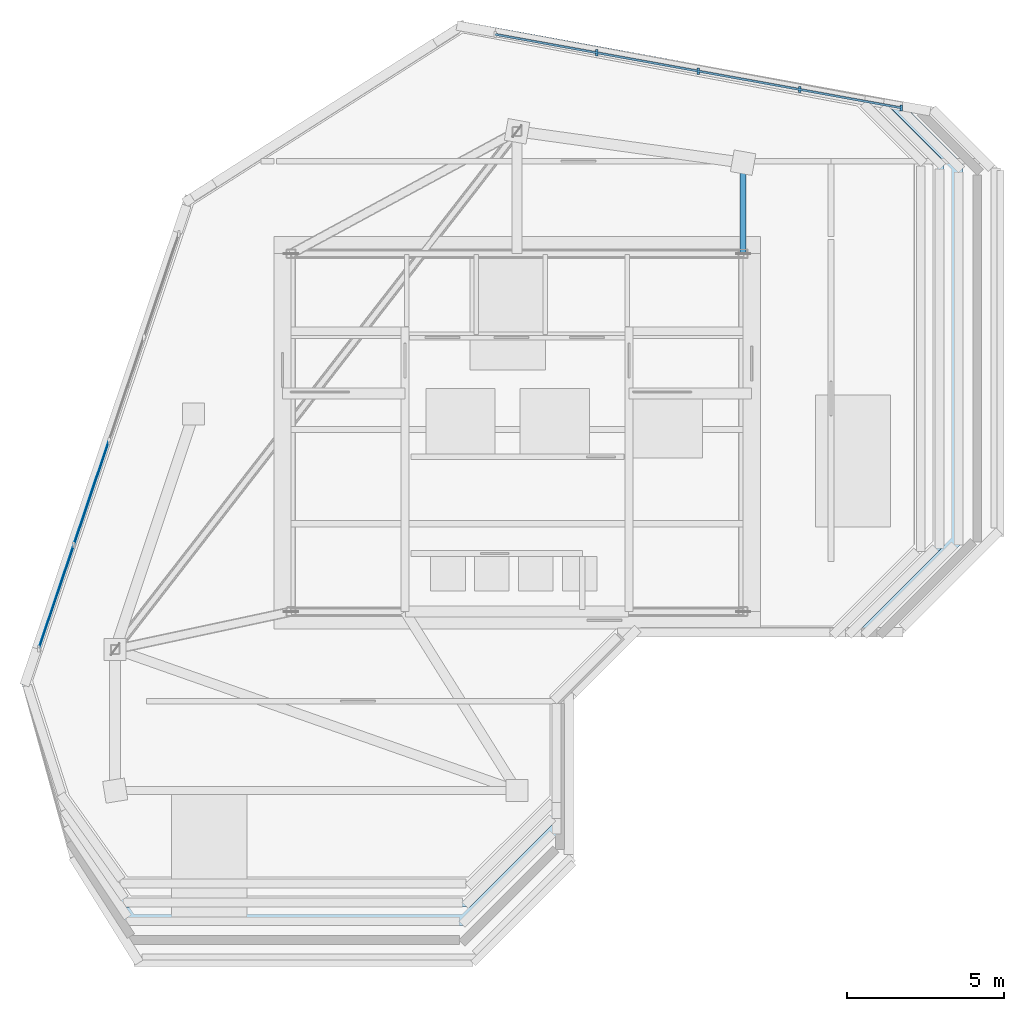
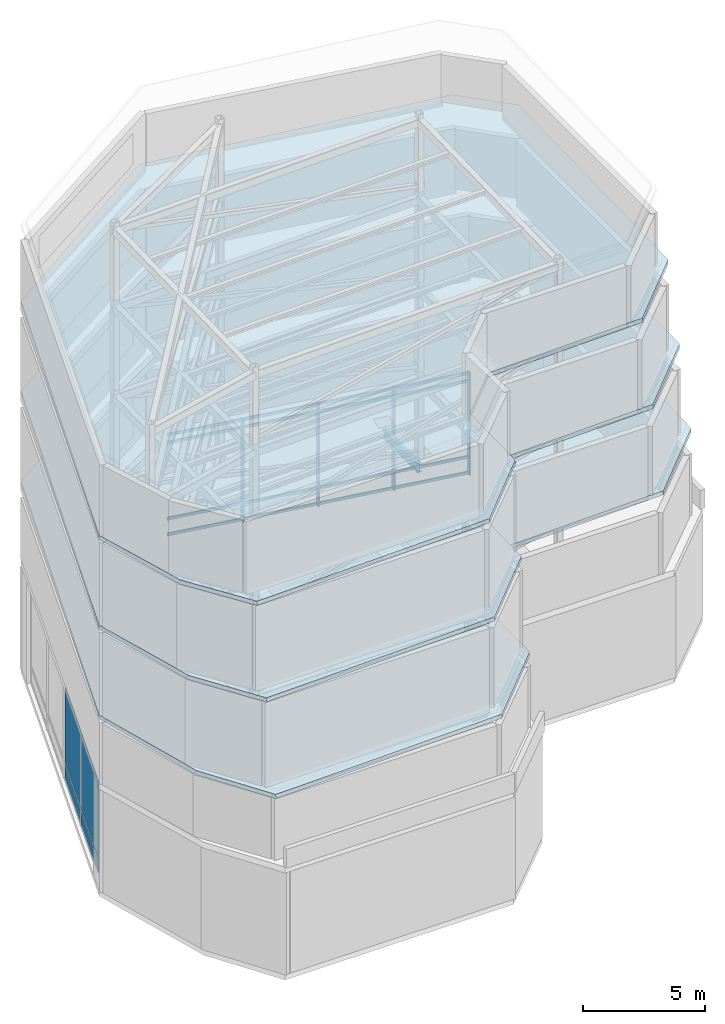
# One storey, part 3 of 9: 8 members, 4 plates, 3 slabs, 1 beam, 2 elements without a shape of their own.
"""IFC4 building model written with IfcOpenShell, lengths in metres."""

from ifc_helpers import new_model, si_unit, direction, frame, frame_2d, origin, origin_2d, place, context, subcontext, project, spatial, polyline, rectangle, i_section, outline, extrude, source, transform, mapped, material, layer, layer_set, material_profile, profile_set, type_object, element, aggregate, save


model = new_model("IFC4")

# Units and contexts
model_context = context("Model", 3, precision=1e-05, world=origin(), true_north=direction((0.0, 1.0)))
body_context = subcontext(model_context, "Body", "Model", "MODEL_VIEW")
ifc_project = project(units=[si_unit("LENGTHUNIT", "METRE"), si_unit("AREAUNIT", "SQUARE_METRE"), si_unit("VOLUMEUNIT", "CUBIC_METRE"), si_unit("PLANEANGLEUNIT", "RADIAN"), si_unit("MASSUNIT", "GRAM", prefix="KILO")], contexts=[model_context])

# Site, building, storey
site_placement = place(None, origin())
site = spatial("IfcSite", under=ifc_project, at=site_placement, CompositionType="ELEMENT")
building_placement = place(site_placement, origin())
building = spatial("IfcBuilding", under=site, at=building_placement, Name="Calvemar Wedge Station Tower", CompositionType="ELEMENT")
storey_placement = place(building_placement, frame((0.0, 0.0, 309.5)))
storey = spatial("IfcBuildingStorey", under=building, at=storey_placement, Name="L79", CompositionType="ELEMENT", Elevation=309.5)

# Beam
ifc_material_1 = material(Name="Structural steel ASTM A572 Grade 50", Category="steel")
ifc_material_profile_1 = material_profile(ifc_material_1, i_section(OverallWidth=0.19189453125, OverallDepth=0.462890625, WebThickness=0.010498046875, FlangeThickness=0.017578125, FilletRadius=0.012939453125, at=origin_2d()), Name="W460x89")
ifc_profile_set_1 = profile_set([ifc_material_profile_1], Name="Structural steel ASTM A572 Grade 50")
beam_type = type_object("IfcBeamType", Name="BM-J1-W460", PredefinedType="JOIST", material=ifc_profile_set_1)
shared_shape_1 = source(origin(), body_context, "Body", "SweptSolid", [
    extrude(i_section(OverallWidth=0.19189453125, OverallDepth=0.462890625, WebThickness=0.010498046875, FlangeThickness=0.017578125, FilletRadius=0.012939453125, at=origin_2d()), origin(), (0.0, 0.0, 1.0), 2.89990234375),
])
beam_placement = place(storey_placement, frame((31.0, 45.60009765625, 4.868408203125), z_axis=(0.0, 1.0, 0.0), x_axis=(-1.0, 0.0, 0.0)))
element("IfcBeam", 1, at=beam_placement, inside=storey, type_object=beam_type, Name="Storey L79 Core-to-Column Joist CJ-N2", PredefinedType="JOIST", context=body_context, shape_type="MappedRepresentation", body=[
    mapped(shared_shape_1, transform((0.0, 0.0, 0.0), scale=1.0)),
])

# Curtain wall, members
ifc_material_2 = material(Name="Anodised aluminium 6063-T6", Category="aluminium")
curtain_wall_type = type_object("IfcCurtainWallType", Name="CW4", PredefinedType="NOTDEFINED", material=ifc_material_2)
curtain_wall_1_placement = place(storey_placement, origin())
curtain_wall_1 = element("IfcCurtainWall", 2, at=curtain_wall_1_placement, inside=storey, type_object=curtain_wall_type, Name="Storey L79 CW4 Recessed Unitised Curtain Wall 10", PredefinedType="NOTDEFINED")
ifc_material_profile_2 = material_profile(ifc_material_2, rectangle(XDim=0.070068359375, YDim=0.199951171875, at=origin_2d()), Name="AL-MUL-70x200")
ifc_profile_set_2 = profile_set([ifc_material_profile_2], Name="Anodised aluminium 6063-T6")
member_type_1 = type_object("IfcMemberType", Name="CW4-MUL", PredefinedType="MULLION", material=ifc_profile_set_2)
shared_shape_2 = source(origin(), body_context, "Body", "SweptSolid", [
    extrude(rectangle(XDim=0.070068359375, YDim=0.199951171875, at=origin_2d()), origin(), (0.0, 0.0, 1.0), 5.150146484375),
])
member_1_placement = place(storey_placement, frame((36.033935546875, 50.24560546875, -0.050048828125), z_axis=(0.0, 0.0, 1.0), x_axis=(1.0, 0.0, 0.0)))
member_1 = element("IfcMember", 3, at=member_1_placement, type_object=member_type_1, Name="CW4 mullion 1", PredefinedType="MULLION", context=body_context, shape_type="MappedRepresentation", body=[
    mapped(shared_shape_2, transform((0.0, 0.0, 0.0), scale=1.0)),
])
member_2_placement = place(storey_placement, frame((32.80126953125, 50.8310546875, -0.050048828125), z_axis=(0.0, 0.0, 1.0), x_axis=(1.0, 0.0, 0.0)))
member_2 = element("IfcMember", 4, at=member_2_placement, type_object=member_type_1, Name="CW4 mullion 2", PredefinedType="MULLION", context=body_context, shape_type="MappedRepresentation", body=[
    mapped(shared_shape_2, transform((0.0, 0.0, 0.0), scale=1.0)),
])
member_3_placement = place(storey_placement, frame((29.568359375, 51.416259765625, -0.050048828125), z_axis=(0.0, 0.0, 1.0), x_axis=(1.0, 0.0, 0.0)))
member_3 = element("IfcMember", 5, at=member_3_placement, type_object=member_type_1, Name="CW4 mullion 3", PredefinedType="MULLION", context=body_context, shape_type="MappedRepresentation", body=[
    mapped(shared_shape_2, transform((0.0, 0.0, 0.0), scale=1.0)),
])
member_4_placement = place(storey_placement, frame((26.335693359375, 52.001708984375, -0.050048828125), z_axis=(0.0, 0.0, 1.0), x_axis=(1.0, 0.0, 0.0)))
member_4 = element("IfcMember", 6, at=member_4_placement, type_object=member_type_1, Name="CW4 mullion 4", PredefinedType="MULLION", context=body_context, shape_type="MappedRepresentation", body=[
    mapped(shared_shape_2, transform((0.0, 0.0, 0.0), scale=1.0)),
])
ifc_material_profile_3 = material_profile(ifc_material_2, rectangle(XDim=0.070068359375, YDim=0.139892578125, at=origin_2d()), Name="AL-TRN-70x140")
ifc_profile_set_3 = profile_set([ifc_material_profile_3], Name="Anodised aluminium 6063-T6")
member_type_2 = type_object("IfcMemberType", Name="CW4-TRN", PredefinedType="USERDEFINED", material=ifc_profile_set_3)
shared_shape_3 = source(origin(), body_context, "Body", "SweptSolid", [
    extrude(rectangle(XDim=0.070068359375, YDim=0.139892578125, at=origin_2d()), origin(), (0.0, 0.0, 1.0), 13.141357421875),
])
member_5_placement = place(storey_placement, frame((36.033935546875, 50.24560546875, 0.06005859375), z_axis=(-0.984001028178, 0.178162781034, 0.0), x_axis=(-0.178162781034, -0.984001028178, 0.0)))
member_5 = element("IfcMember", 7, at=member_5_placement, type_object=member_type_2, Name="CW4 transom 1", ObjectType="TRANSOM", PredefinedType="USERDEFINED", context=body_context, shape_type="MappedRepresentation", body=[
    mapped(shared_shape_3, transform((0.0, 0.0, 0.0), scale=1.0)),
])
member_6_placement = place(storey_placement, frame((36.033935546875, 50.24560546875, 0.85009765625), z_axis=(-0.984001028178, 0.178162781034, 0.0), x_axis=(-0.178162781034, -0.984001028178, 0.0)))
member_6 = element("IfcMember", 8, at=member_6_placement, type_object=member_type_2, Name="CW4 transom 2", ObjectType="TRANSOM", PredefinedType="USERDEFINED", context=body_context, shape_type="MappedRepresentation", body=[
    mapped(shared_shape_3, transform((0.0, 0.0, 0.0), scale=1.0)),
])
member_7_placement = place(storey_placement, frame((36.033935546875, 50.24560546875, 4.64990234375), z_axis=(-0.984001028178, 0.178162781034, 0.0), x_axis=(-0.178162781034, -0.984001028178, 0.0)))
member_7 = element("IfcMember", 9, at=member_7_placement, type_object=member_type_2, Name="CW4 transom 3", ObjectType="TRANSOM", PredefinedType="USERDEFINED", context=body_context, shape_type="MappedRepresentation", body=[
    mapped(shared_shape_3, transform((0.0, 0.0, 0.0), scale=1.0)),
])
member_8_placement = place(storey_placement, frame((36.033935546875, 50.24560546875, 5.0400390625), z_axis=(-0.984001028178, 0.178162781034, 0.0), x_axis=(-0.178162781034, -0.984001028178, 0.0)))
member_8 = element("IfcMember", 10, at=member_8_placement, type_object=member_type_2, Name="CW4 transom 4", ObjectType="TRANSOM", PredefinedType="USERDEFINED", context=body_context, shape_type="MappedRepresentation", body=[
    mapped(shared_shape_3, transform((0.0, 0.0, 0.0), scale=1.0)),
])
aggregate(curtain_wall_1, [member_1, member_2, member_3, member_4, member_5, member_6, member_7, member_8])

# Curtain wall, plates
curtain_wall_2_placement = place(storey_placement, origin())
curtain_wall_2 = element("IfcCurtainWall", 11, at=curtain_wall_2_placement, inside=storey, type_object=curtain_wall_type, Name="Storey L79 CW4 Recessed Unitised Curtain Wall 12", PredefinedType="NOTDEFINED")
ifc_material_3 = material(Name="Low-E laminated insulated glass", Category="glass")
ifc_layer_1 = layer(ifc_material_3, 0.028076171875)
ifc_layer_set_1 = layer_set([ifc_layer_1], Name="Low-E laminated insulated glass")
plate_type_1 = type_object("IfcPlateType", Name="CW4-GLZ", PredefinedType="CURTAIN_PANEL", material=ifc_layer_set_1)
plate_1_placement = place(storey_placement, frame((10.7919921875, 39.6123046875, 0.8701171875), z_axis=(0.0, 0.0, 1.0), x_axis=(-0.31989528615, -0.947452904317, 0.0)))
plate_1 = element("IfcPlate", 12, at=plate_1_placement, type_object=plate_type_1, Name="CW4 vision glass panel 3", PredefinedType="CURTAIN_PANEL", context=body_context, shape_type="SweptSolid", body=[
    extrude(rectangle(XDim=3.45263671875, YDim=0.028076171875, at=frame_2d((1.726318359375, 0.0))), origin(), (0.0, 0.0, 1.0), 3.759765625),
])
plate_2_placement = place(storey_placement, frame((9.676025390625, 36.306884765625, 0.8701171875), z_axis=(0.0, 0.0, 1.0), x_axis=(-0.319958758675, -0.947431471267, 0.0)))
plate_2 = element("IfcPlate", 13, at=plate_2_placement, type_object=plate_type_1, Name="CW4 vision glass panel 4", PredefinedType="CURTAIN_PANEL", context=body_context, shape_type="SweptSolid", body=[
    extrude(rectangle(XDim=3.45263671875, YDim=0.028076171875, at=frame_2d((1.726318359375, 0.0))), origin(), (0.0, 0.0, 1.0), 3.759765625),
])
ifc_material_4 = material(Name="Oxidized bronze aluminium spandrel panel 5005-H24", Category="aluminium")
ifc_layer_2 = layer(ifc_material_4, 0.0400390625)
ifc_layer_set_2 = layer_set([ifc_layer_2], Name="Oxidized bronze aluminium spandrel panel 5005-H24")
plate_type_2 = type_object("IfcPlateType", Name="CW4-SPD", PredefinedType="SHEET", material=ifc_layer_set_2)
plate_3_placement = place(storey_placement, frame((10.7919921875, 39.6123046875, 0.080078125), z_axis=(0.0, 0.0, 1.0), x_axis=(-0.31989528615, -0.947452904317, 0.0)))
plate_3 = element("IfcPlate", 14, at=plate_3_placement, type_object=plate_type_2, Name="CW4 bronze spandrel panel 3", PredefinedType="SHEET", context=body_context, shape_type="SweptSolid", body=[
    extrude(rectangle(XDim=3.45263671875, YDim=0.0400390625, at=frame_2d((1.726318359375, 0.0))), origin(), (0.0, 0.0, 1.0), 0.75),
])
plate_4_placement = place(storey_placement, frame((9.676025390625, 36.306884765625, 0.080078125), z_axis=(0.0, 0.0, 1.0), x_axis=(-0.319958758675, -0.947431471267, 0.0)))
plate_4 = element("IfcPlate", 15, at=plate_4_placement, type_object=plate_type_2, Name="CW4 bronze spandrel panel 4", PredefinedType="SHEET", context=body_context, shape_type="SweptSolid", body=[
    extrude(rectangle(XDim=3.45263671875, YDim=0.0400390625, at=frame_2d((1.726318359375, 0.0))), origin(), (0.0, 0.0, 1.0), 0.75),
])
aggregate(curtain_wall_2, [plate_3, plate_1, plate_4, plate_2])

# Slabs
ifc_material_5 = material(Name="Concrete C45", Category="concrete")
ifc_layer_3 = layer(ifc_material_5, 0.219970703125)
ifc_layer_set_3 = layer_set([ifc_layer_3], Name="Concrete C45")
slab_type = type_object("IfcSlabType", Name="SL-ROOF-220", PredefinedType="ROOF", material=ifc_layer_set_3)
slab_1_placement = place(storey_placement, frame((8.0, 32.0, 8.82275390625), z_axis=(-0.025061360859, -0.025060639266, 0.999371748926), x_axis=(0.272935669163, -0.961877155012, -0.017275970751)))
element("IfcSlab", 16, at=slab_1_placement, inside=storey, type_object=slab_type, Name="Stepped Crown Tier 1 Sloped Wedge Roof Slab", PredefinedType="ROOF", context=body_context, shape_type="SweptSolid", body=[
    extrude(outline(polyline([(0.0, 0.0), (5.510110475777146, 6.591949208711867e-17), (9.038136702256832, 1.0783709265521189), (11.953966344890441, 11.37711394548269), (9.815661940792483, 15.207260630243466), (5.292849097774983, 16.49085328726866), (3.913232624130313, 18.96203253221232), (6.146674270151755, 26.85057791913157), (4.00820588521515, 30.681018327316757), (-7.3893945243254455, 33.91570252801323), (-9.859020172674805, 32.536953400356964), (-16.39348375679437, 19.209997975921535), (-13.402486894633881, 9.210684371950599), (0.0, 0.0)])), origin(), (0.0, 0.0, -1.0), 0.219970703125),
])
slab_2_placement = place(storey_placement, frame((8.0, 32.0, 13.312255859375), z_axis=(-0.025559569839, -0.025559254133, 0.99934650293), x_axis=(0.28142158172, -0.9594275366, -0.01734056967)))
element("IfcSlab", 17, at=slab_2_placement, inside=storey, type_object=slab_type, Name="Stepped Crown Tier 2 Sloped Wedge Roof Slab", PredefinedType="ROOF", context=body_context, shape_type="SweptSolid", body=[
    extrude(outline(polyline([(0.0, 0.0), (5.003031972924421, 1.8778381627448937e-16), (8.444602267602308, 1.0752911440499149), (11.476913647982236, 11.436199742898518), (9.440237121780886, 15.161177035078051), (5.4088255586018885, 16.343906976194337), (4.051039796621816, 18.827227751993128), (6.242683075171361, 26.31570202278735), (4.206002315432493, 30.0406870580042), (-7.3508811936763045, 33.43122724730338), (-9.832579430315091, 32.07432862829622), (-16.223600506596657, 19.354490012254903), (-13.320847859849716, 9.32893741894305), (0.0, 0.0)])), origin(), (0.0, 0.0, -1.0), 0.219970703125),
])
slab_3_placement = place(storey_placement, frame((8.0, 32.0, 17.801513671875), z_axis=(-0.026073782162, -0.026073701128, 0.999319928748), x_axis=(0.291788590935, -0.956325670139, -0.017338709105)))
element("IfcSlab", 18, at=slab_3_placement, inside=storey, type_object=slab_type, Name="Stepped Crown Tier 3 Sloped Wedge Roof Slab", PredefinedType="ROOF", context=body_context, shape_type="SweptSolid", body=[
    extrude(outline(polyline([(0.0, 0.0), (4.496431714540008, 8.543513119185775e-17), (7.853666324628632, 1.06722007606064), (11.054876317060563, 11.582518727786733), (9.125163405018371, 15.204384741049486), (5.58512882011534, 16.284727628105955), (4.254247135147185, 18.782651082099896), (6.381016291504015, 25.768624837624863), (4.4510656684317365, 29.390569874594622), (-7.255918942783602, 32.9632808100606), (-9.752147464931163, 31.633302176692016), (-16.013630531291867, 19.529397408090983), (-13.219352519885724, 9.472800648519751), (0.0, 0.0)])), origin(), (0.0, 0.0, -1.0), 0.219970703125),
])

save(model, "model.ifc")
